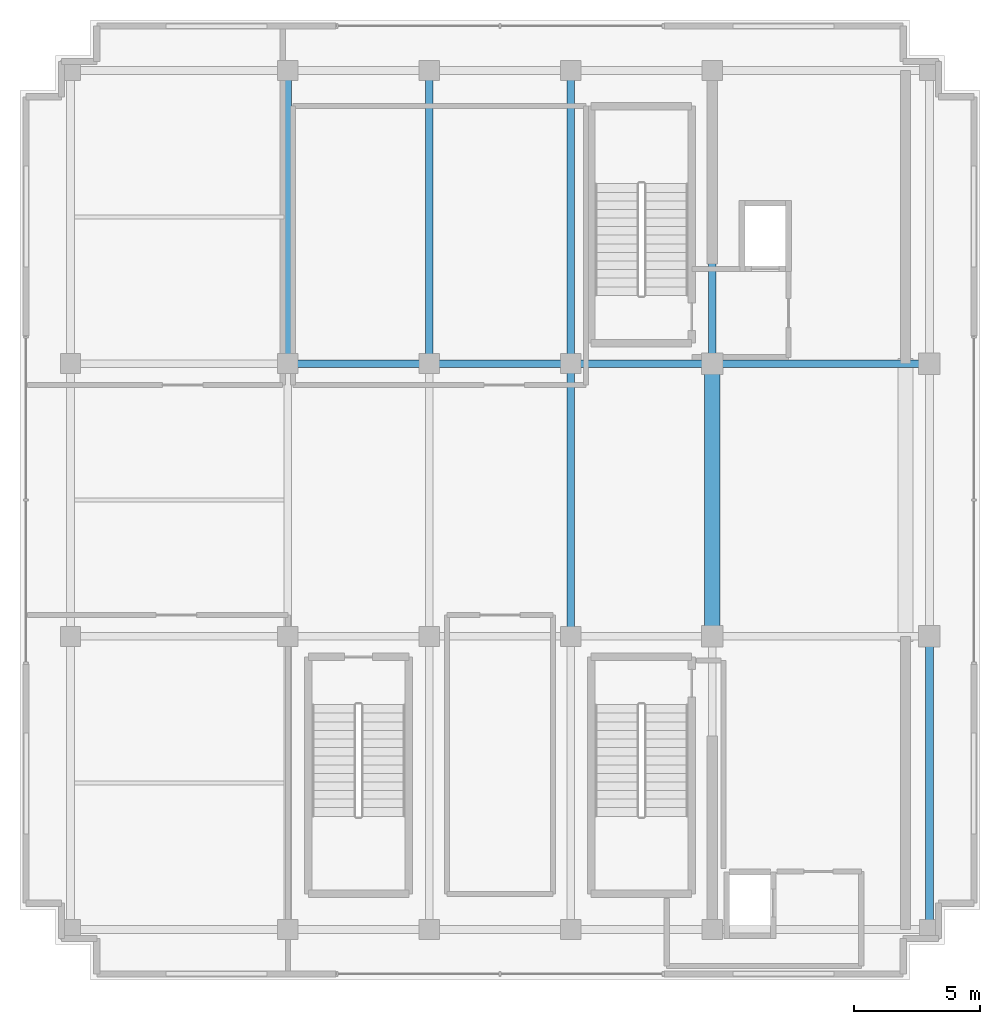
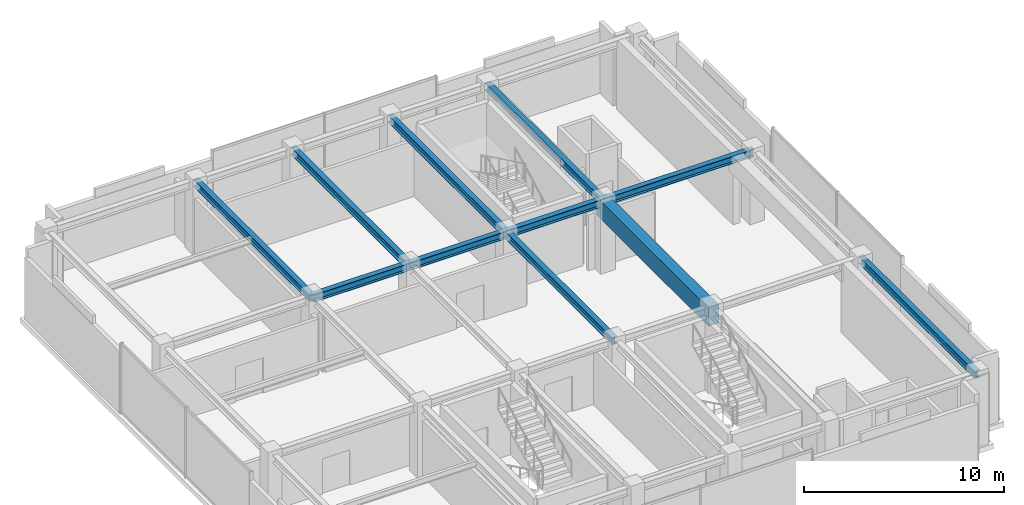
# One storey, part 9 of 18: 11 beams.
"""IFC4 building model written with IfcOpenShell, lengths in metres."""

from ifc_helpers import new_model, si_unit, direction, frame, origin, origin_2d, place, context, subcontext, project, spatial, rectangle, i_section, extrude, source, transform, mapped, material, material_profile, profile_set, type_object, element, save


model = new_model("IFC4")

# Units and contexts
model_context = context("Model", 3, precision=1e-05, world=origin(), true_north=direction((0.0, 1.0)))
body_context = subcontext(model_context, "Body", "Model", "MODEL_VIEW")
ifc_project = project(units=[si_unit("LENGTHUNIT", "METRE"), si_unit("AREAUNIT", "SQUARE_METRE"), si_unit("VOLUMEUNIT", "CUBIC_METRE"), si_unit("PLANEANGLEUNIT", "RADIAN"), si_unit("MASSUNIT", "GRAM", prefix="KILO")], contexts=[model_context])

# Site, building, storey
site_placement = place(None, origin())
site = spatial("IfcSite", under=ifc_project, at=site_placement, CompositionType="ELEMENT")
building_placement = place(site_placement, origin())
building = spatial("IfcBuilding", under=site, at=building_placement, Name="Nahalor Promenade Grand Hotel", CompositionType="ELEMENT")
storey_placement = place(building_placement, frame((0.0, 0.0, 361.64990234375)))
storey = spatial("IfcBuildingStorey", under=building, at=storey_placement, Name="L92", CompositionType="ELEMENT", Elevation=361.64990234375)

# Beams
ifc_material_1 = material(Name="Concrete B-60 (C50/60)", Category="concrete")
ifc_material_profile_1 = material_profile(ifc_material_1, rectangle(XDim=0.6, YDim=1.1, at=origin_2d()), Name="RC 600x1100")
ifc_profile_set_1 = profile_set([ifc_material_profile_1], Name="Concrete B-60 (C50/60)")
beam_type_1 = type_object("IfcBeamType", Name="Beam-Lintel-RC1100", PredefinedType="LINTEL", material=ifc_profile_set_1)
shared_shape_1 = source(origin(), body_context, "Body", "SweptSolid", [
    extrude(rectangle(XDim=0.6, YDim=1.1, at=origin_2d()), origin(), (0.0, 0.0, 1.0), 11.2001953125),
])
beam_1_placement = place(storey_placement, frame((8.39990234375, -5.60009765625, 3.75), z_axis=(0.0, 1.0, 0.0), x_axis=(-1.0, 0.0, 0.0)))
element("IfcBeam", 1, at=beam_1_placement, inside=storey, type_object=beam_type_1, Name="BM-L92-LINT-W", PredefinedType="LINTEL", context=body_context, shape_type="MappedRepresentation", body=[
    mapped(shared_shape_1, transform((0.0, 0.0, 0.0), scale=1.0)),
])
ifc_material_2 = material(Name="Steel S355JR", Category="steel")
ifc_material_profile_2 = material_profile(ifc_material_2, i_section(OverallWidth=0.3, OverallDepth=0.45, WebThickness=0.014, FlangeThickness=0.026, at=origin_2d()), Name="HEB 450")
ifc_profile_set_2 = profile_set([ifc_material_profile_2], Name="Steel S355JR")
beam_type_2 = type_object("IfcBeamType", Name="Beam-Girder-HEB450", PredefinedType="BEAM", material=ifc_profile_set_2)
shared_shape_2 = source(origin(), body_context, "Body", "SweptSolid", [
    extrude(i_section(OverallWidth=0.3, OverallDepth=0.45, WebThickness=0.014, FlangeThickness=0.026, at=origin_2d()), origin(), (0.0, 0.0, 1.0), 8.60009765625),
])
beam_2_placement = place(storey_placement, frame((8.39990234375, 5.39990234375, 4.0751953125), z_axis=(1.0, 0.0, 0.0), x_axis=(0.0, 1.0, 0.0)))
element("IfcBeam", 2, at=beam_2_placement, inside=storey, type_object=beam_type_2, Name="BM-L92-GX-2-4", PredefinedType="BEAM", context=body_context, shape_type="MappedRepresentation", body=[
    mapped(shared_shape_2, transform((0.0, 0.0, 0.0), scale=1.0)),
])
shared_shape_3 = source(origin(), body_context, "Body", "SweptSolid", [
    extrude(i_section(OverallWidth=0.3, OverallDepth=0.45, WebThickness=0.014, FlangeThickness=0.026, at=origin_2d()), origin(), (0.0, 0.0, 1.0), 5.599853515625),
])
for number, where, z_axis, x_axis, name in (
    (3, (-8.39990234375, 5.39990234375, 4.0751953125), (1.0, 0.0, 0.0), (0.0, 1.0, 0.0), "BM-L92-GX-2-1"),
    (4, (2.800048828125, 5.39990234375, 4.0751953125), (1.0, 0.0, 0.0), (0.0, 1.0, 0.0), "BM-L92-GX-2-3"),
):
    element("IfcBeam", number, at=place(storey_placement, frame(where, z_axis=z_axis, x_axis=x_axis)), inside=storey, type_object=beam_type_2, Name=name, PredefinedType="BEAM", context=body_context, shape_type="MappedRepresentation", body=[
        mapped(shared_shape_3, transform((0.0, 0.0, 0.0), scale=1.0)),
    ])
shared_shape_4 = source(origin(), body_context, "Body", "SweptSolid", [
    extrude(i_section(OverallWidth=0.3, OverallDepth=0.45, WebThickness=0.014, FlangeThickness=0.026, at=origin_2d()), origin(), (0.0, 0.0, 1.0), 5.60009765625),
])
beam_3_placement = place(storey_placement, frame((-2.800048828125, 5.39990234375, 4.0751953125), z_axis=(1.0, 0.0, 0.0), x_axis=(0.0, 1.0, 0.0)))
element("IfcBeam", 5, at=beam_3_placement, inside=storey, type_object=beam_type_2, Name="BM-L92-GX-2-2", PredefinedType="BEAM", context=body_context, shape_type="MappedRepresentation", body=[
    mapped(shared_shape_4, transform((0.0, 0.0, 0.0), scale=1.0)),
])
shared_shape_5 = source(origin(), body_context, "Body", "SweptSolid", [
    extrude(i_section(OverallWidth=0.3, OverallDepth=0.45, WebThickness=0.014, FlangeThickness=0.026, at=origin_2d()), origin(), (0.0, 0.0, 1.0), 11.60009765625),
])
for number, where, z_axis, x_axis, name in (
    (6, (-8.39990234375, 5.39990234375, 4.0751953125), (0.0, 1.0, 0.0), (-1.0, 0.0, 0.0), "BM-L92-GY-1-2"),
    (7, (-2.800048828125, 5.39990234375, 4.0751953125), (0.0, 1.0, 0.0), (-1.0, 0.0, 0.0), "BM-L92-GY-2-2"),
    (8, (2.800048828125, 5.39990234375, 4.0751953125), (0.0, 1.0, 0.0), (-1.0, 0.0, 0.0), "BM-L92-GY-3-2"),
    (9, (8.39990234375, 5.39990234375, 4.0751953125), (0.0, 1.0, 0.0), (-1.0, 0.0, 0.0), "BM-L92-GY-4-2"),
    (10, (17.0, -17.0, 4.0751953125), (0.0, 1.0, 0.0), (-1.0, 0.0, 0.0), "BM-L92-GY-5-0"),
):
    element("IfcBeam", number, at=place(storey_placement, frame(where, z_axis=z_axis, x_axis=x_axis)), inside=storey, type_object=beam_type_2, Name=name, PredefinedType="BEAM", context=body_context, shape_type="MappedRepresentation", body=[
        mapped(shared_shape_5, transform((0.0, 0.0, 0.0), scale=1.0)),
    ])
shared_shape_6 = source(origin(), body_context, "Body", "SweptSolid", [
    extrude(i_section(OverallWidth=0.3, OverallDepth=0.45, WebThickness=0.014, FlangeThickness=0.026, at=origin_2d()), origin(), (0.0, 0.0, 1.0), 10.7998046875),
])
beam_4_placement = place(storey_placement, frame((2.800048828125, -5.39990234375, 4.0751953125), z_axis=(0.0, 1.0, 0.0), x_axis=(-1.0, 0.0, 0.0)))
element("IfcBeam", 11, at=beam_4_placement, inside=storey, type_object=beam_type_2, Name="BM-L92-GY-3-1", PredefinedType="BEAM", context=body_context, shape_type="MappedRepresentation", body=[
    mapped(shared_shape_6, transform((0.0, 0.0, 0.0), scale=1.0)),
])

save(model, "model.ifc")
